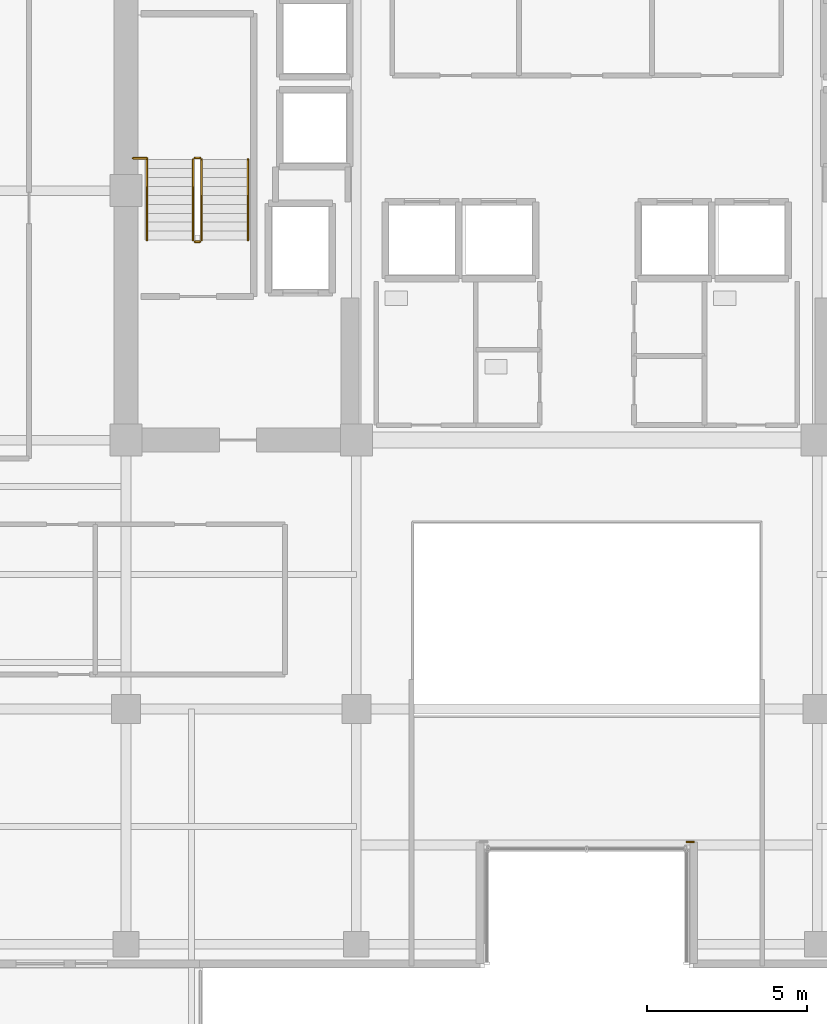
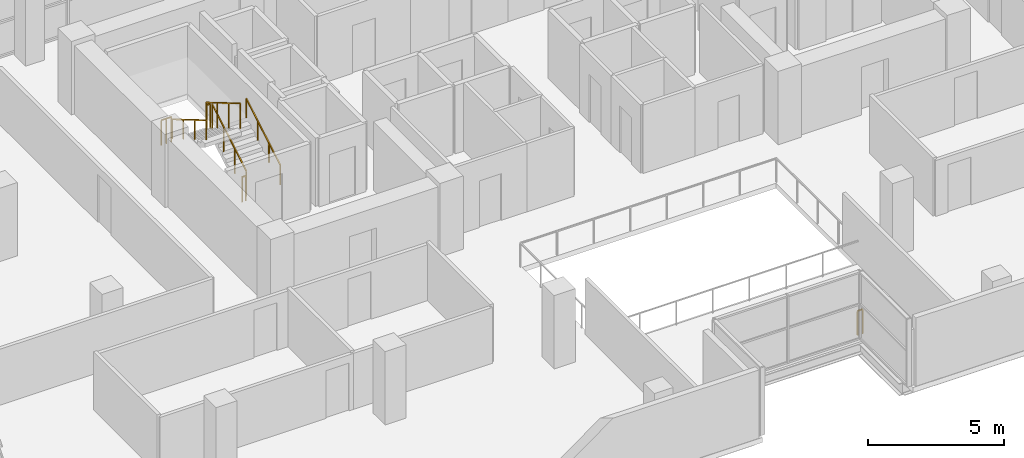
# One storey, part 25 of 27: 8 railings.
"""IFC4 building model written with IfcOpenShell, lengths in metres."""

from ifc_helpers import new_model, si_unit, direction, frame, origin, origin_2d, place, context, subcontext, project, spatial, rectangle, extrude, material, type_object, element, save


model = new_model("IFC4")

# Units and contexts
model_context = context("Model", 3, precision=1e-05, world=origin(), true_north=direction((0.0, 1.0)))
body_context = subcontext(model_context, "Body", "Model", "MODEL_VIEW")
ifc_project = project(units=[si_unit("LENGTHUNIT", "METRE"), si_unit("AREAUNIT", "SQUARE_METRE"), si_unit("VOLUMEUNIT", "CUBIC_METRE"), si_unit("PLANEANGLEUNIT", "RADIAN"), si_unit("MASSUNIT", "GRAM", prefix="KILO")], contexts=[model_context])

# Site, building, storey
site_placement = place(None, origin())
site = spatial("IfcSite", under=ifc_project, at=site_placement, CompositionType="ELEMENT")
building_placement = place(site_placement, origin())
building = spatial("IfcBuilding", under=site, at=building_placement, Name="Zarnakvel Exchange Tower", CompositionType="ELEMENT")
storey_placement = place(building_placement, frame((0.0, 0.0, 96.699951171875)))
storey = spatial("IfcBuildingStorey", under=building, at=storey_placement, Name="L26", CompositionType="ELEMENT", Elevation=96.699951171875)

# Railings
ifc_material_1 = material(Name="Architectural Bronze Anodised Aluminium", Category="aluminium")
railing_type_1 = type_object("IfcRailingType", Name="GR-02", PredefinedType="GUARDRAIL", material=ifc_material_1)
railing_1_placement = place(storey_placement, frame((3.340087890625, -13.760009765625, 0.0)))
element("IfcRailing", 1, at=railing_1_placement, inside=storey, type_object=railing_type_1, Name="L26 Corner Spandrel Balustrade #18", PredefinedType="GUARDRAIL", context=body_context, shape_type="SweptSolid", body=[
    extrude(rectangle(XDim=0.048095703125, YDim=0.048095703125, at=origin_2d()), frame((0.0, 0.0, 1.09619140625), z_axis=(-1.0, 0.0, 0.0), x_axis=(0.0, -1.0, 0.0)), (0.0, 0.0, 1.0), 0.219970703125),
    extrude(rectangle(XDim=0.0419921875, YDim=0.0419921875, at=origin_2d()), origin(), (0.0, 0.0, 1.0), 1.072021484375),
    extrude(rectangle(XDim=0.0419921875, YDim=0.0419921875, at=origin_2d()), frame((-0.219970703125, 0.0, 0.0)), (0.0, 0.0, 1.0), 1.072021484375),
])
ifc_material_2 = material(Name="Brushed Stainless Steel", Category="steel")
railing_type_2 = type_object("IfcRailingType", Name="HR-01", PredefinedType="HANDRAIL", material=ifc_material_2)
railing_2_placement = place(storey_placement, frame((-10.590087890625, 5.050048828125, 0.1650390625)))
element("IfcRailing", 2, at=railing_2_placement, inside=storey, type_object=railing_type_2, Name="L26 ST-01 stair handrail 1", PredefinedType="HANDRAIL", context=body_context, shape_type="SweptSolid", body=[
    extrude(rectangle(XDim=0.048095703125, YDim=0.048095703125, at=origin_2d()), frame((0.0, 0.0, 0.8759765625), z_axis=(0.0, 0.86152411907, 0.507716645641), x_axis=(-1.0, 0.0, 0.0)), (0.0, 0.0, 1.0), 2.925048828125),
    extrude(rectangle(XDim=0.0419921875, YDim=0.0419921875, at=origin_2d()), origin(), (0.0, 0.0, 1.0), 0.851806640625),
    extrude(rectangle(XDim=0.0419921875, YDim=0.0419921875, at=origin_2d()), frame((0.0, 0.840087890625, 0.4951171875)), (0.0, 0.0, 1.0), 0.851806640625),
    extrude(rectangle(XDim=0.0419921875, YDim=0.0419921875, at=origin_2d()), frame((0.0, 1.679931640625, 0.989990234375)), (0.0, 0.0, 1.0), 0.851806640625),
    extrude(rectangle(XDim=0.0419921875, YDim=0.0419921875, at=origin_2d()), frame((0.0, 2.52001953125, 1.485107421875)), (0.0, 0.0, 1.0), 0.851806640625),
])
railing_3_placement = place(storey_placement, frame((-13.75, 7.570068359375, 1.81494140625)))
element("IfcRailing", 3, at=railing_3_placement, inside=storey, type_object=railing_type_2, Name="L26 ST-01 stair handrail 2", PredefinedType="HANDRAIL", context=body_context, shape_type="SweptSolid", body=[
    extrude(rectangle(XDim=0.048095703125, YDim=0.048095703125, at=origin_2d()), frame((0.0, 0.0, 0.8759765625), z_axis=(0.0, -0.86152411907, 0.507716645641), x_axis=(1.0, 0.0, 0.0)), (0.0, 0.0, 1.0), 2.925048828125),
    extrude(rectangle(XDim=0.0419921875, YDim=0.0419921875, at=origin_2d()), origin(), (0.0, 0.0, 1.0), 0.851806640625),
    extrude(rectangle(XDim=0.0419921875, YDim=0.0419921875, at=origin_2d()), frame((0.0, -0.840087890625, 0.4951171875)), (0.0, 0.0, 1.0), 0.851806640625),
    extrude(rectangle(XDim=0.0419921875, YDim=0.0419921875, at=origin_2d()), frame((0.0, -1.679931640625, 0.989990234375)), (0.0, 0.0, 1.0), 0.851806640625),
    extrude(rectangle(XDim=0.0419921875, YDim=0.0419921875, at=origin_2d()), frame((0.0, -2.52001953125, 1.485107421875)), (0.0, 0.0, 1.0), 0.851806640625),
])
railing_type_3 = type_object("IfcRailingType", Name="SG-01", PredefinedType="GUARDRAIL", material=ifc_material_1)
railing_4_placement = place(storey_placement, frame((-12.0400390625, 5.050048828125, 0.1650390625)))
element("IfcRailing", 4, at=railing_4_placement, inside=storey, type_object=railing_type_3, Name="L26 ST-01 stair guard 1", PredefinedType="GUARDRAIL", context=body_context, shape_type="SweptSolid", body=[
    extrude(rectangle(XDim=0.048095703125, YDim=0.048095703125, at=origin_2d()), frame((0.0, 0.0, 1.1259765625), z_axis=(0.0, 0.86152411907, 0.507716645641), x_axis=(-1.0, 0.0, 0.0)), (0.0, 0.0, 1.0), 2.925048828125),
    extrude(rectangle(XDim=0.0419921875, YDim=0.0419921875, at=origin_2d()), origin(), (0.0, 0.0, 1.0), 1.101806640625),
    extrude(rectangle(XDim=0.0419921875, YDim=0.0419921875, at=origin_2d()), frame((0.0, 0.840087890625, 0.4951171875)), (0.0, 0.0, 1.0), 1.101806640625),
    extrude(rectangle(XDim=0.0419921875, YDim=0.0419921875, at=origin_2d()), frame((0.0, 1.679931640625, 0.989990234375)), (0.0, 0.0, 1.0), 1.101806640625),
    extrude(rectangle(XDim=0.0419921875, YDim=0.0419921875, at=origin_2d()), frame((0.0, 2.52001953125, 1.485107421875)), (0.0, 0.0, 1.0), 1.101806640625),
])
railing_5_placement = place(storey_placement, frame((-12.090087890625, 7.6201171875, 1.650146484375)))
element("IfcRailing", 5, at=railing_5_placement, inside=storey, type_object=railing_type_3, Name="L26 ST-01 stair guard 2", PredefinedType="GUARDRAIL", context=body_context, shape_type="SweptSolid", body=[
    extrude(rectangle(XDim=0.048095703125, YDim=0.048095703125, at=origin_2d()), frame((0.0, 0.0, 1.1259765625), z_axis=(-1.0, 0.0, 0.0), x_axis=(0.0, -1.0, 0.0)), (0.0, 0.0, 1.0), 0.159912109375),
    extrude(rectangle(XDim=0.0419921875, YDim=0.0419921875, at=origin_2d()), origin(), (0.0, 0.0, 1.0), 1.101806640625),
    extrude(rectangle(XDim=0.0419921875, YDim=0.0419921875, at=origin_2d()), frame((-0.159912109375, 0.0, 0.0)), (0.0, 0.0, 1.0), 1.101806640625),
])
railing_6_placement = place(storey_placement, frame((-12.300048828125, 7.570068359375, 1.81494140625)))
element("IfcRailing", 6, at=railing_6_placement, inside=storey, type_object=railing_type_3, Name="L26 ST-01 stair guard 3", PredefinedType="GUARDRAIL", context=body_context, shape_type="SweptSolid", body=[
    extrude(rectangle(XDim=0.048095703125, YDim=0.048095703125, at=origin_2d()), frame((0.0, 0.0, 1.1259765625), z_axis=(0.0, -0.86152411907, 0.507716645641), x_axis=(1.0, 0.0, 0.0)), (0.0, 0.0, 1.0), 2.925048828125),
    extrude(rectangle(XDim=0.0419921875, YDim=0.0419921875, at=origin_2d()), origin(), (0.0, 0.0, 1.0), 1.101806640625),
    extrude(rectangle(XDim=0.0419921875, YDim=0.0419921875, at=origin_2d()), frame((0.0, -0.840087890625, 0.4951171875)), (0.0, 0.0, 1.0), 1.101806640625),
    extrude(rectangle(XDim=0.0419921875, YDim=0.0419921875, at=origin_2d()), frame((0.0, -1.679931640625, 0.989990234375)), (0.0, 0.0, 1.0), 1.101806640625),
    extrude(rectangle(XDim=0.0419921875, YDim=0.0419921875, at=origin_2d()), frame((0.0, -2.52001953125, 1.485107421875)), (0.0, 0.0, 1.0), 1.101806640625),
])
railing_7_placement = place(storey_placement, frame((-12.090087890625, 5.0, 0.0)))
element("IfcRailing", 7, at=railing_7_placement, inside=storey, type_object=railing_type_3, Name="L26 ST-01 stair guard 4", PredefinedType="GUARDRAIL", context=body_context, shape_type="SweptSolid", body=[
    extrude(rectangle(XDim=0.048095703125, YDim=0.048095703125, at=origin_2d()), frame((0.0, 0.0, 1.1259765625), z_axis=(-1.0, 0.0, 0.0), x_axis=(0.0, -1.0, 0.0)), (0.0, 0.0, 1.0), 0.159912109375),
    extrude(rectangle(XDim=0.0419921875, YDim=0.0419921875, at=origin_2d()), origin(), (0.0, 0.0, 1.0), 1.101806640625),
    extrude(rectangle(XDim=0.0419921875, YDim=0.0419921875, at=origin_2d()), frame((-0.159912109375, 0.0, 0.0)), (0.0, 0.0, 1.0), 1.101806640625),
])
railing_8_placement = place(storey_placement, frame((-14.179931640625, 7.610107421875, 1.650146484375)))
element("IfcRailing", 8, at=railing_8_placement, inside=storey, type_object=railing_type_3, Name="L26 ST-01 Landing Slot Guardrail", PredefinedType="GUARDRAIL", context=body_context, shape_type="SweptSolid", body=[
    extrude(rectangle(XDim=0.048095703125, YDim=0.048095703125, at=origin_2d()), frame((0.0, 0.0, 1.1259765625), z_axis=(1.0, 0.0, 0.0), x_axis=(0.0, 1.0, 0.0)), (0.0, 0.0, 1.0), 0.429931640625),
    extrude(rectangle(XDim=0.0419921875, YDim=0.0419921875, at=origin_2d()), origin(), (0.0, 0.0, 1.0), 1.101806640625),
    extrude(rectangle(XDim=0.0419921875, YDim=0.0419921875, at=origin_2d()), frame((0.21484375, 0.0, 0.0)), (0.0, 0.0, 1.0), 1.101806640625),
    extrude(rectangle(XDim=0.0419921875, YDim=0.0419921875, at=origin_2d()), frame((0.429931640625, 0.0, 0.0)), (0.0, 0.0, 1.0), 1.101806640625),
])

save(model, "model.ifc")
